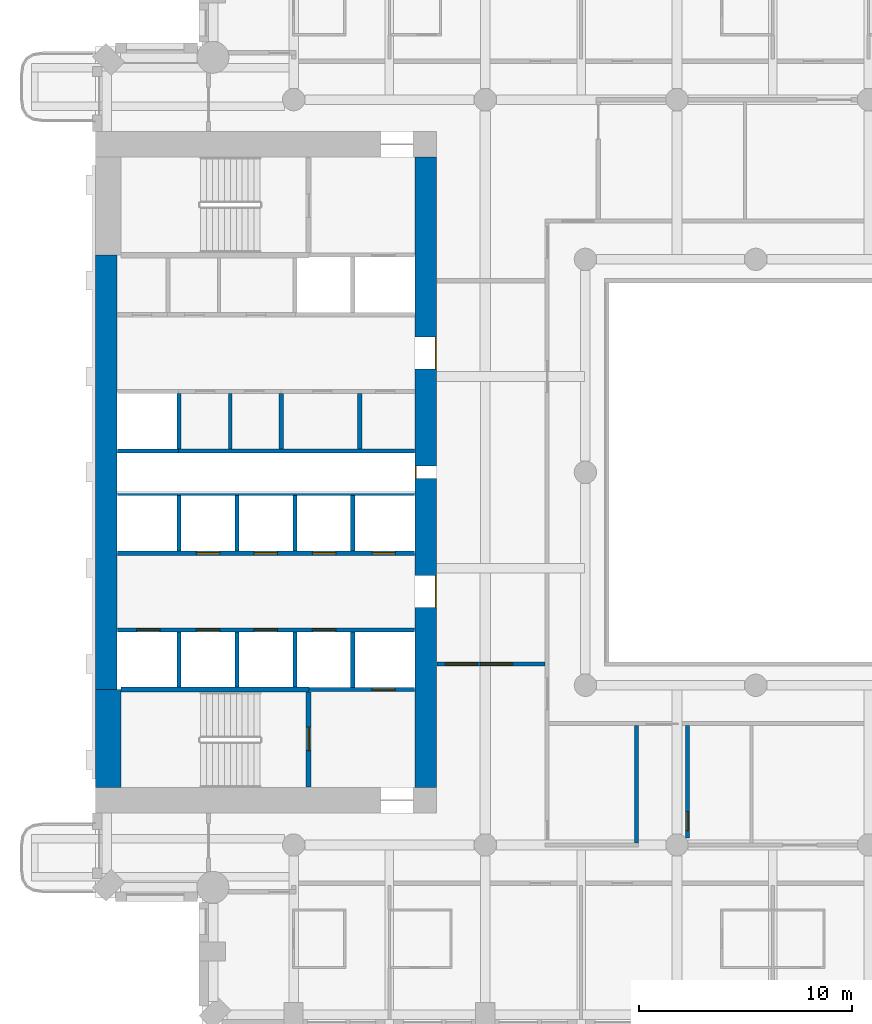
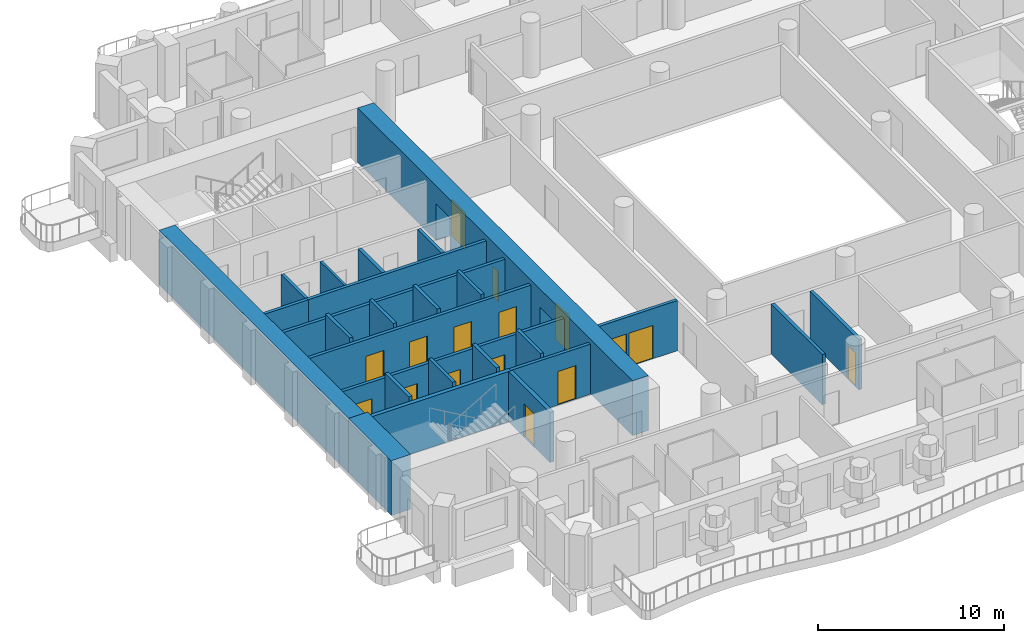
# One storey, part 4 of 20: 26 walls, 16 doors, 16 openings.
"""IFC4 building model written with IfcOpenShell, lengths in metres."""

from ifc_helpers import new_model, si_unit, direction, frame, frame_2d, origin, place, context, subcontext, project, spatial, rectangle, extrude, material, layer, layer_set, type_object, element, fill, save


model = new_model("IFC4")

# Units and contexts
model_context = context("Model", 3, precision=1e-05, world=origin(), true_north=direction((0.0, 1.0)))
body_context = subcontext(model_context, "Body", "Model", "MODEL_VIEW")
ifc_project = project(units=[si_unit("LENGTHUNIT", "METRE"), si_unit("AREAUNIT", "SQUARE_METRE"), si_unit("VOLUMEUNIT", "CUBIC_METRE"), si_unit("PLANEANGLEUNIT", "RADIAN"), si_unit("MASSUNIT", "GRAM", prefix="KILO")], contexts=[model_context])

# Site, building, storey
site_placement = place(None, origin())
site = spatial("IfcSite", under=ifc_project, at=site_placement, CompositionType="ELEMENT")
building_placement = place(site_placement, origin())
building = spatial("IfcBuilding", under=site, at=building_placement, Name="Cypress Arch Tower", CompositionType="ELEMENT")
storey_placement = place(building_placement, frame((0.0, 0.0, 123.89990234375)))
storey = spatial("IfcBuildingStorey", under=building, at=storey_placement, Name="L26", CompositionType="ELEMENT", Elevation=123.89990234375)

# Wall, openings, doors
ifc_material_1 = material(Name="Concrete C80/95", Category="concrete")
ifc_layer_1 = layer(ifc_material_1, 1.0)
ifc_layer_set_1 = layer_set([ifc_layer_1], Name="Core wall CW1000 C80/95")
wall_type_1 = type_object("IfcWallType", Name="Core wall CW1000 C80/95", PredefinedType="SHEAR", material=ifc_layer_set_1)
wall_1_placement = place(storey_placement, frame((-14.5, -14.800048828125, 0.0), z_axis=(0.0, 0.0, 1.0), x_axis=(0.0, 1.0, 0.0)))
wall_1 = element("IfcWall", 1, at=wall_1_placement, inside=storey, type_object=wall_type_1, Name="Core wall", PredefinedType="SHEAR", context=body_context, shape_type="SweptSolid", body=[
    extrude(rectangle(XDim=29.60009765625, YDim=1.0, at=frame_2d((14.800048828125, 0.0))), origin(), (0.0, 0.0, 1.0), 3.60009765625),
])
opening_1_placement = place(wall_1_placement, frame((8.449951171875, 0.0, 0.0)))
opening_1 = element("IfcOpeningElement", 2, at=opening_1_placement, cuts=wall_1, Name="Opening D07", PredefinedType="OPENING", context=body_context, shape_type="SweptSolid", body=[
    extrude(rectangle(XDim=1.5, YDim=2.39990234375, at=frame_2d((0.75, 1.199951171875))), frame((0.0, 0.510009765625, 0.0), z_axis=(0.0, -1.0, 0.0), x_axis=(1.0, 0.0, 0.0)), (0.0, 0.0, 1.0), 1.02001953125),
])
opening_2_placement = place(wall_1_placement, frame((19.64990234375, 0.0, 0.0)))
opening_2 = element("IfcOpeningElement", 3, at=opening_2_placement, cuts=wall_1, Name="Opening D07", PredefinedType="OPENING", context=body_context, shape_type="SweptSolid", body=[
    extrude(rectangle(XDim=1.5, YDim=2.39990234375, at=frame_2d((0.75, 1.199951171875))), frame((0.0, 0.510009765625, 0.0), z_axis=(0.0, -1.0, 0.0), x_axis=(1.0, 0.0, 0.0)), (0.0, 0.0, 1.0), 1.02001953125),
])
opening_3_placement = place(wall_1_placement, frame((14.5, 0.0, 0.0)))
opening_3 = element("IfcOpeningElement", 4, at=opening_3_placement, cuts=wall_1, Name="Opening D08", PredefinedType="OPENING", context=body_context, shape_type="SweptSolid", body=[
    extrude(rectangle(XDim=0.60009765625, YDim=2.0, at=frame_2d((0.300048828125, 1.0))), frame((0.0, 0.510009765625, 0.0), z_axis=(0.0, -1.0, 0.0), x_axis=(1.0, 0.0, 0.0)), (0.0, 0.0, 1.0), 1.02001953125),
])
ifc_material_2 = material(Name="Steel framed glazed door, fire resisting", Category="steel")
door_type_1 = type_object("IfcDoorType", Name="Lobby door D07 1500x2400", OperationType="DOUBLE_DOOR_SINGLE_SWING", PredefinedType="DOOR", material=ifc_material_2)
door_1_placement = place(opening_1_placement, origin())
door_1 = element("IfcDoor", 5, at=door_1_placement, inside=storey, type_object=door_type_1, Name="Lobby door", OperationType="DOUBLE_DOOR_SINGLE_SWING", OverallHeight=2.39990234375, OverallWidth=1.5, PredefinedType="DOOR", context=body_context, shape_type="SweptSolid", body=[
    extrude(rectangle(XDim=1.5, YDim=2.39990234375, at=frame_2d((0.75, 1.199951171875))), frame((0.0, -0.44482421875, 0.0), z_axis=(0.0, -1.0, 0.0), x_axis=(1.0, 0.0, 0.0)), (0.0, 0.0, 1.0), 0.050048828125),
])
fill(opening_1, door_1)
door_2_placement = place(opening_2_placement, origin())
door_2 = element("IfcDoor", 6, at=door_2_placement, inside=storey, type_object=door_type_1, Name="Lobby door", OperationType="DOUBLE_DOOR_SINGLE_SWING", OverallHeight=2.39990234375, OverallWidth=1.5, PredefinedType="DOOR", context=body_context, shape_type="SweptSolid", body=[
    extrude(rectangle(XDim=1.5, YDim=2.39990234375, at=frame_2d((0.75, 1.199951171875))), frame((0.0, -0.44482421875, 0.0), z_axis=(0.0, -1.0, 0.0), x_axis=(1.0, 0.0, 0.0)), (0.0, 0.0, 1.0), 0.050048828125),
])
fill(opening_2, door_2)
ifc_material_3 = material(Name="Steel access door, fire resisting", Category="steel")
door_type_2 = type_object("IfcDoorType", Name="Riser access door D08 600x2000", OperationType="SINGLE_SWING_LEFT", PredefinedType="DOOR", material=ifc_material_3)
door_3_placement = place(opening_3_placement, origin())
door_3 = element("IfcDoor", 7, at=door_3_placement, inside=storey, type_object=door_type_2, Name="Riser access door", OperationType="SINGLE_SWING_RIGHT", OverallHeight=2.0, OverallWidth=0.60009765625, PredefinedType="DOOR", context=body_context, shape_type="SweptSolid", body=[
    extrude(rectangle(XDim=0.60009765625, YDim=2.0, at=frame_2d((0.300048828125, 1.0))), frame((0.0, 0.4951171875, 0.0), z_axis=(0.0, -1.0, 0.0), x_axis=(1.0, 0.0, 0.0)), (0.0, 0.0, 1.0), 0.050048828125),
])
fill(opening_3, door_3)

# Walls
wall_2_placement = place(storey_placement, frame((-29.5, -10.199951171875, 0.0), z_axis=(0.0, 0.0, 1.0), x_axis=(0.0, 1.0, 0.0)))
element("IfcWall", 8, at=wall_2_placement, inside=storey, type_object=wall_type_1, Name="Core wall", PredefinedType="SHEAR", context=body_context, shape_type="SweptSolid", body=[
    extrude(rectangle(XDim=20.39990234375, YDim=1.0, at=frame_2d((10.199951171875, 0.0))), origin(), (0.0, 0.0, 1.0), 3.60009765625),
])
ifc_material_4 = material(Name="Concrete C80/95", Category="concrete")
ifc_layer_2 = layer(ifc_material_4, 1.199951171875)
ifc_layer_set_2 = layer_set([ifc_layer_2], Name="Core wall CW1200 C80/95")
wall_type_2 = type_object("IfcWallType", Name="Core wall CW1200 C80/95", PredefinedType="SHEAR", material=ifc_layer_set_2)
wall_3_placement = place(storey_placement, frame((-29.39990234375, -14.800048828125, 0.0), z_axis=(0.0, 0.0, 1.0), x_axis=(0.0, 1.0, 0.0)))
element("IfcWall", 9, at=wall_3_placement, inside=storey, type_object=wall_type_2, Name="Core wall", PredefinedType="SHEAR", context=body_context, shape_type="SweptSolid", body=[
    extrude(rectangle(XDim=4.60009765625, YDim=1.199951171875, at=frame_2d((2.300048828125, 0.0))), origin(), (0.0, 0.0, 1.0), 3.60009765625),
])

# Wall, openings, doors
ifc_material_5 = material(Name="Concrete blockwork, plastered, rated", Category="masonry")
ifc_layer_3 = layer(ifc_material_5, 0.199951171875)
ifc_layer_set_3 = layer_set([ifc_layer_3], Name="Corridor wall FW200")
wall_type_3 = type_object("IfcWallType", Name="Corridor wall FW200", PredefinedType="PARTITIONING", material=ifc_layer_set_3)
wall_4_placement = place(storey_placement, frame((-13.969970703125, -9.0, 0.0), z_axis=(0.0, 0.0, 1.0), x_axis=(1.0, 0.0, 0.0)))
wall_4 = element("IfcWall", 10, at=wall_4_placement, inside=storey, type_object=wall_type_3, Name="Corridor wall", PredefinedType="PARTITIONING", context=body_context, shape_type="SweptSolid", body=[
    extrude(rectangle(XDim=5.070068359375, YDim=0.199951171875, at=frame_2d((2.53515625, 0.0))), origin(), (0.0, 0.0, 1.0), 3.300048828125),
])
opening_4_placement = place(wall_4_placement, frame((0.39990234375, 0.0, 0.0)))
opening_4 = element("IfcOpeningElement", 11, at=opening_4_placement, cuts=wall_4, Name="Opening D04", PredefinedType="OPENING", context=body_context, shape_type="SweptSolid", body=[
    extrude(rectangle(XDim=1.5, YDim=2.199951171875, at=frame_2d((0.75, 1.10009765625))), frame((0.0, 0.10986328125, 0.0), z_axis=(0.0, -1.0, 0.0), x_axis=(1.0, 0.0, 0.0)), (0.0, 0.0, 1.0), 0.219970703125),
])
opening_5_placement = place(wall_4_placement, frame((2.050048828125, 0.0, 0.0)))
opening_5 = element("IfcOpeningElement", 12, at=opening_5_placement, cuts=wall_4, Name="Opening D04", PredefinedType="OPENING", context=body_context, shape_type="SweptSolid", body=[
    extrude(rectangle(XDim=1.5, YDim=2.199951171875, at=frame_2d((0.75, 1.10009765625))), frame((0.0, 0.10986328125, 0.0), z_axis=(0.0, -1.0, 0.0), x_axis=(1.0, 0.0, 0.0)), (0.0, 0.0, 1.0), 0.219970703125),
])
ifc_material_6 = material(Name="Timber double door", Category="wood")
door_type_3 = type_object("IfcDoorType", Name="Double door D04 1500x2200", OperationType="DOUBLE_DOOR_SINGLE_SWING", PredefinedType="DOOR", material=ifc_material_6)
door_4_placement = place(opening_4_placement, origin())
door_4 = element("IfcDoor", 13, at=door_4_placement, inside=storey, type_object=door_type_3, Name="Double door", OperationType="DOUBLE_DOOR_SINGLE_SWING", OverallHeight=2.199951171875, OverallWidth=1.5, PredefinedType="DOOR", context=body_context, shape_type="SweptSolid", body=[
    extrude(rectangle(XDim=1.5, YDim=2.199951171875, at=frame_2d((0.75, 1.10009765625))), frame((0.0, 0.02490234375, 0.0), z_axis=(0.0, -1.0, 0.0), x_axis=(1.0, 0.0, 0.0)), (0.0, 0.0, 1.0), 0.050048828125),
])
fill(opening_4, door_4)
door_5_placement = place(opening_5_placement, origin())
door_5 = element("IfcDoor", 14, at=door_5_placement, inside=storey, type_object=door_type_3, Name="Double door", OperationType="DOUBLE_DOOR_SINGLE_SWING", OverallHeight=2.199951171875, OverallWidth=1.5, PredefinedType="DOOR", context=body_context, shape_type="SweptSolid", body=[
    extrude(rectangle(XDim=1.5, YDim=2.199951171875, at=frame_2d((0.75, 1.10009765625))), frame((0.0, 0.02490234375, 0.0), z_axis=(0.0, -1.0, 0.0), x_axis=(1.0, 0.0, 0.0)), (0.0, 0.0, 1.0), 0.050048828125),
])
fill(opening_5, door_5)

# Wall
wall_5_placement = place(storey_placement, frame((-4.60009765625, -17.39990234375, 0.0), z_axis=(0.0, 0.0, 1.0), x_axis=(0.0, 1.0, 0.0)))
element("IfcWall", 15, at=wall_5_placement, inside=storey, type_object=wall_type_3, Name="Corridor wall", PredefinedType="PARTITIONING", context=body_context, shape_type="SweptSolid", body=[
    extrude(rectangle(XDim=5.5, YDim=0.199951171875, at=frame_2d((2.75, 0.0))), origin(), (0.0, 0.0, 1.0), 3.300048828125),
])

# Wall, opening, door
wall_6_placement = place(storey_placement, frame((-2.199951171875, -17.178466796875, 0.0), z_axis=(0.0, 0.0, 1.0), x_axis=(0.0, 1.0, 0.0)))
wall_6 = element("IfcWall", 16, at=wall_6_placement, inside=storey, type_object=wall_type_3, Name="Corridor wall", PredefinedType="PARTITIONING", context=body_context, shape_type="SweptSolid", body=[
    extrude(rectangle(XDim=5.278564453125, YDim=0.199951171875, at=frame_2d((2.63916015625, 0.0))), origin(), (0.0, 0.0, 1.0), 3.300048828125),
])
opening_6_placement = place(wall_6_placement, frame((0.35009765625, 0.0, 0.0)))
opening_6 = element("IfcOpeningElement", 17, at=opening_6_placement, cuts=wall_6, Name="Opening D05", PredefinedType="OPENING", context=body_context, shape_type="SweptSolid", body=[
    extrude(rectangle(XDim=0.89990234375, YDim=2.199951171875, at=frame_2d((0.449951171875, 1.10009765625))), frame((0.0, 0.10986328125, 0.0), z_axis=(0.0, -1.0, 0.0), x_axis=(1.0, 0.0, 0.0)), (0.0, 0.0, 1.0), 0.219970703125),
])
ifc_material_7 = material(Name="Timber flush door", Category="wood")
door_type_4 = type_object("IfcDoorType", Name="Service door D05 900x2200", OperationType="SINGLE_SWING_LEFT", PredefinedType="DOOR", material=ifc_material_7)
door_6_placement = place(opening_6_placement, origin())
door_6 = element("IfcDoor", 18, at=door_6_placement, inside=storey, type_object=door_type_4, Name="Service door", OperationType="SINGLE_SWING_RIGHT", OverallHeight=2.199951171875, OverallWidth=0.89990234375, PredefinedType="DOOR", context=body_context, shape_type="SweptSolid", body=[
    extrude(rectangle(XDim=0.89990234375, YDim=2.199951171875, at=frame_2d((0.449951171875, 1.10009765625))), frame((0.0, 0.02490234375, 0.0), z_axis=(0.0, -1.0, 0.0), x_axis=(1.0, 0.0, 0.0)), (0.0, 0.0, 1.0), 0.050048828125),
])
fill(opening_6, door_6)

# Walls
ifc_material_8 = material(Name="Blockwork, plastered both sides", Category="masonry")
ifc_layer_4 = layer(ifc_material_8, 0.14990234375)
ifc_layer_set_4 = layer_set([ifc_layer_4], Name="Partition PW150")
wall_type_4 = type_object("IfcWallType", Name="Partition PW150", PredefinedType="PARTITIONING", material=ifc_layer_set_4)
wall_7_placement = place(storey_placement, frame((-23.679931640625, 1.10009765625, 0.0), z_axis=(0.0, 0.0, 1.0), x_axis=(0.0, 1.0, 0.0)))
element("IfcWall", 19, at=wall_7_placement, inside=storey, type_object=wall_type_4, Name="Partition", PredefinedType="PARTITIONING", context=body_context, shape_type="SweptSolid", body=[
    extrude(rectangle(XDim=2.599853515625, YDim=0.14990234375, at=frame_2d((1.2998046875, 0.0))), origin(), (0.0, 0.0, 1.0), 3.300048828125),
])
ifc_material_9 = material(Name="Reinforced blockwork, plastered, rated", Category="masonry")
ifc_layer_5 = layer(ifc_material_9, 0.199951171875)
ifc_layer_set_5 = layer_set([ifc_layer_5], Name="Plant and riser wall PL200")
wall_type_5 = type_object("IfcWallType", Name="Plant and riser wall PL200", PredefinedType="PARTITIONING", material=ifc_layer_set_5)
wall_8_placement = place(storey_placement, frame((-26.10009765625, 1.0, 0.0), z_axis=(0.0, 0.0, 1.0), x_axis=(1.0, 0.0, 0.0)))
element("IfcWall", 20, at=wall_8_placement, inside=storey, type_object=wall_type_5, Name="Plant and riser wall", PredefinedType="PARTITIONING", context=body_context, shape_type="SweptSolid", body=[
    extrude(rectangle(XDim=11.070068359375, YDim=0.199951171875, at=frame_2d((5.53515625, 0.0))), origin(), (0.0, 0.0, 1.0), 3.300048828125),
])
for number, where, z_axis, x_axis, name in (
    (21, (-21.280029296875, 1.10009765625, 0.0), (0.0, 0.0, 1.0), (0.0, 1.0, 0.0), "Plant and riser wall"),
    (22, (-17.60009765625, 1.10009765625, 0.0), (0.0, 0.0, 1.0), (0.0, 1.0, 0.0), "Plant and riser wall"),
):
    element("IfcWall", number, at=place(storey_placement, frame(where, z_axis=z_axis, x_axis=x_axis)), inside=storey, type_object=wall_type_5, Name=name, PredefinedType="PARTITIONING", context=body_context, shape_type="SweptSolid", body=[
        extrude(rectangle(XDim=2.599853515625, YDim=0.199951171875, at=frame_2d((1.2998046875, 0.0))), origin(), (0.0, 0.0, 1.0), 3.300048828125),
    ])

# Wall, openings, doors
ifc_material_10 = material(Name="Concrete C50/60", Category="concrete")
ifc_layer_6 = layer(ifc_material_10, 0.199951171875)
ifc_layer_set_6 = layer_set([ifc_layer_6], Name="Shaft wall SH200")
wall_type_6 = type_object("IfcWallType", Name="Shaft wall SH200", PredefinedType="SHEAR", material=ifc_layer_set_6)
wall_9_placement = place(storey_placement, frame((-28.969970703125, -7.39990234375, 0.0), z_axis=(0.0, 0.0, 1.0), x_axis=(1.0, 0.0, 0.0)))
wall_9 = element("IfcWall", 23, at=wall_9_placement, inside=storey, type_object=wall_type_6, Name="Shaft wall", PredefinedType="SHEAR", context=body_context, shape_type="SweptSolid", body=[
    extrude(rectangle(XDim=13.93994140625, YDim=0.199951171875, at=frame_2d((6.969970703125, 0.0))), origin(), (0.0, 0.0, 1.0), 3.300048828125),
])
opening_7_placement = place(wall_9_placement, frame((0.89990234375, 0.0, 0.0)))
opening_7 = element("IfcOpeningElement", 24, at=opening_7_placement, cuts=wall_9, Name="Opening LD-LR1", PredefinedType="OPENING", context=body_context, shape_type="SweptSolid", body=[
    extrude(rectangle(XDim=1.10009765625, YDim=2.199951171875, at=frame_2d((0.550048828125, 1.10009765625))), frame((0.0, 0.10986328125, 0.0), z_axis=(0.0, -1.0, 0.0), x_axis=(1.0, 0.0, 0.0)), (0.0, 0.0, 1.0), 0.219970703125),
])
opening_8_placement = place(wall_9_placement, frame((3.699951171875, 0.0, 0.0)))
opening_8 = element("IfcOpeningElement", 25, at=opening_8_placement, cuts=wall_9, Name="Opening LD-LR2", PredefinedType="OPENING", context=body_context, shape_type="SweptSolid", body=[
    extrude(rectangle(XDim=1.10009765625, YDim=2.199951171875, at=frame_2d((0.550048828125, 1.10009765625))), frame((0.0, 0.10986328125, 0.0), z_axis=(0.0, -1.0, 0.0), x_axis=(1.0, 0.0, 0.0)), (0.0, 0.0, 1.0), 0.219970703125),
])
opening_9_placement = place(wall_9_placement, frame((6.39990234375, 0.0, 0.0)))
opening_9 = element("IfcOpeningElement", 26, at=opening_9_placement, cuts=wall_9, Name="Opening LD-LR3", PredefinedType="OPENING", context=body_context, shape_type="SweptSolid", body=[
    extrude(rectangle(XDim=1.10009765625, YDim=2.199951171875, at=frame_2d((0.550048828125, 1.10009765625))), frame((0.0, 0.10986328125, 0.0), z_axis=(0.0, -1.0, 0.0), x_axis=(1.0, 0.0, 0.0)), (0.0, 0.0, 1.0), 0.219970703125),
])
opening_10_placement = place(wall_9_placement, frame((9.14990234375, 0.0, 0.0)))
opening_10 = element("IfcOpeningElement", 27, at=opening_10_placement, cuts=wall_9, Name="Opening LD-LR4", PredefinedType="OPENING", context=body_context, shape_type="SweptSolid", body=[
    extrude(rectangle(XDim=1.10009765625, YDim=2.199951171875, at=frame_2d((0.550048828125, 1.10009765625))), frame((0.0, 0.10986328125, 0.0), z_axis=(0.0, -1.0, 0.0), x_axis=(1.0, 0.0, 0.0)), (0.0, 0.0, 1.0), 0.219970703125),
])
ifc_material_11 = material(Name="Stainless steel centre-opening landing door, rated", Category="steel")
door_type_5 = type_object("IfcDoorType", Name="Lift landing door LD 1100x2200", OperationType="DOUBLE_DOOR_SLIDING", PredefinedType="DOOR", material=ifc_material_11)
door_7_placement = place(opening_7_placement, origin())
door_7 = element("IfcDoor", 28, at=door_7_placement, inside=storey, type_object=door_type_5, Name="Lift landing doors LR1", OperationType="DOUBLE_DOOR_SLIDING", OverallHeight=2.199951171875, OverallWidth=1.10009765625, PredefinedType="DOOR", context=body_context, shape_type="SweptSolid", body=[
    extrude(rectangle(XDim=1.10009765625, YDim=2.199951171875, at=frame_2d((0.550048828125, 1.10009765625))), frame((0.0, 0.02490234375, 0.0), z_axis=(0.0, -1.0, 0.0), x_axis=(1.0, 0.0, 0.0)), (0.0, 0.0, 1.0), 0.050048828125),
])
fill(opening_7, door_7)
door_8_placement = place(opening_8_placement, origin())
door_8 = element("IfcDoor", 29, at=door_8_placement, inside=storey, type_object=door_type_5, Name="Lift landing doors LR2", OperationType="DOUBLE_DOOR_SLIDING", OverallHeight=2.199951171875, OverallWidth=1.10009765625, PredefinedType="DOOR", context=body_context, shape_type="SweptSolid", body=[
    extrude(rectangle(XDim=1.10009765625, YDim=2.199951171875, at=frame_2d((0.550048828125, 1.10009765625))), frame((0.0, 0.02490234375, 0.0), z_axis=(0.0, -1.0, 0.0), x_axis=(1.0, 0.0, 0.0)), (0.0, 0.0, 1.0), 0.050048828125),
])
fill(opening_8, door_8)
door_9_placement = place(opening_9_placement, origin())
door_9 = element("IfcDoor", 30, at=door_9_placement, inside=storey, type_object=door_type_5, Name="Lift landing doors LR3", OperationType="DOUBLE_DOOR_SLIDING", OverallHeight=2.199951171875, OverallWidth=1.10009765625, PredefinedType="DOOR", context=body_context, shape_type="SweptSolid", body=[
    extrude(rectangle(XDim=1.10009765625, YDim=2.199951171875, at=frame_2d((0.550048828125, 1.10009765625))), frame((0.0, 0.02490234375, 0.0), z_axis=(0.0, -1.0, 0.0), x_axis=(1.0, 0.0, 0.0)), (0.0, 0.0, 1.0), 0.050048828125),
])
fill(opening_9, door_9)
door_10_placement = place(opening_10_placement, origin())
door_10 = element("IfcDoor", 31, at=door_10_placement, inside=storey, type_object=door_type_5, Name="Lift landing doors LR4", OperationType="DOUBLE_DOOR_SLIDING", OverallHeight=2.199951171875, OverallWidth=1.10009765625, PredefinedType="DOOR", context=body_context, shape_type="SweptSolid", body=[
    extrude(rectangle(XDim=1.10009765625, YDim=2.199951171875, at=frame_2d((0.550048828125, 1.10009765625))), frame((0.0, 0.02490234375, 0.0), z_axis=(0.0, -1.0, 0.0), x_axis=(1.0, 0.0, 0.0)), (0.0, 0.0, 1.0), 0.050048828125),
])
fill(opening_10, door_10)

wall_10_placement = place(storey_placement, frame((-28.969970703125, -3.800048828125, 0.0), z_axis=(0.0, 0.0, 1.0), x_axis=(1.0, 0.0, 0.0)))
wall_10 = element("IfcWall", 32, at=wall_10_placement, inside=storey, type_object=wall_type_6, Name="Shaft wall", PredefinedType="SHEAR", context=body_context, shape_type="SweptSolid", body=[
    extrude(rectangle(XDim=13.93994140625, YDim=0.199951171875, at=frame_2d((6.969970703125, 0.0))), origin(), (0.0, 0.0, 1.0), 3.300048828125),
])
opening_11_placement = place(wall_10_placement, frame((3.699951171875, 0.0, 0.0)))
opening_11 = element("IfcOpeningElement", 33, at=opening_11_placement, cuts=wall_10, Name="Opening LD-LR5", PredefinedType="OPENING", context=body_context, shape_type="SweptSolid", body=[
    extrude(rectangle(XDim=1.10009765625, YDim=2.199951171875, at=frame_2d((0.550048828125, 1.10009765625))), frame((0.0, 0.10986328125, 0.0), z_axis=(0.0, -1.0, 0.0), x_axis=(1.0, 0.0, 0.0)), (0.0, 0.0, 1.0), 0.219970703125),
])
opening_12_placement = place(wall_10_placement, frame((6.39990234375, 0.0, 0.0)))
opening_12 = element("IfcOpeningElement", 34, at=opening_12_placement, cuts=wall_10, Name="Opening LD-LR6", PredefinedType="OPENING", context=body_context, shape_type="SweptSolid", body=[
    extrude(rectangle(XDim=1.10009765625, YDim=2.199951171875, at=frame_2d((0.550048828125, 1.10009765625))), frame((0.0, 0.10986328125, 0.0), z_axis=(0.0, -1.0, 0.0), x_axis=(1.0, 0.0, 0.0)), (0.0, 0.0, 1.0), 0.219970703125),
])
opening_13_placement = place(wall_10_placement, frame((9.14990234375, 0.0, 0.0)))
opening_13 = element("IfcOpeningElement", 35, at=opening_13_placement, cuts=wall_10, Name="Opening LD-LR7", PredefinedType="OPENING", context=body_context, shape_type="SweptSolid", body=[
    extrude(rectangle(XDim=1.10009765625, YDim=2.199951171875, at=frame_2d((0.550048828125, 1.10009765625))), frame((0.0, 0.10986328125, 0.0), z_axis=(0.0, -1.0, 0.0), x_axis=(1.0, 0.0, 0.0)), (0.0, 0.0, 1.0), 0.219970703125),
])
opening_14_placement = place(wall_10_placement, frame((11.949951171875, 0.0, 0.0)))
opening_14 = element("IfcOpeningElement", 36, at=opening_14_placement, cuts=wall_10, Name="Opening LD-LR8", PredefinedType="OPENING", context=body_context, shape_type="SweptSolid", body=[
    extrude(rectangle(XDim=1.10009765625, YDim=2.199951171875, at=frame_2d((0.550048828125, 1.10009765625))), frame((0.0, 0.10986328125, 0.0), z_axis=(0.0, -1.0, 0.0), x_axis=(1.0, 0.0, 0.0)), (0.0, 0.0, 1.0), 0.219970703125),
])
door_11_placement = place(opening_11_placement, origin())
door_11 = element("IfcDoor", 37, at=door_11_placement, inside=storey, type_object=door_type_5, Name="Lift landing doors LR5", OperationType="DOUBLE_DOOR_SLIDING", OverallHeight=2.199951171875, OverallWidth=1.10009765625, PredefinedType="DOOR", context=body_context, shape_type="SweptSolid", body=[
    extrude(rectangle(XDim=1.10009765625, YDim=2.199951171875, at=frame_2d((0.550048828125, 1.10009765625))), frame((0.0, 0.02490234375, 0.0), z_axis=(0.0, -1.0, 0.0), x_axis=(1.0, 0.0, 0.0)), (0.0, 0.0, 1.0), 0.050048828125),
])
fill(opening_11, door_11)
door_12_placement = place(opening_12_placement, origin())
door_12 = element("IfcDoor", 38, at=door_12_placement, inside=storey, type_object=door_type_5, Name="Lift landing doors LR6", OperationType="DOUBLE_DOOR_SLIDING", OverallHeight=2.199951171875, OverallWidth=1.10009765625, PredefinedType="DOOR", context=body_context, shape_type="SweptSolid", body=[
    extrude(rectangle(XDim=1.10009765625, YDim=2.199951171875, at=frame_2d((0.550048828125, 1.10009765625))), frame((0.0, 0.02490234375, 0.0), z_axis=(0.0, -1.0, 0.0), x_axis=(1.0, 0.0, 0.0)), (0.0, 0.0, 1.0), 0.050048828125),
])
fill(opening_12, door_12)
door_13_placement = place(opening_13_placement, origin())
door_13 = element("IfcDoor", 39, at=door_13_placement, inside=storey, type_object=door_type_5, Name="Lift landing doors LR7", OperationType="DOUBLE_DOOR_SLIDING", OverallHeight=2.199951171875, OverallWidth=1.10009765625, PredefinedType="DOOR", context=body_context, shape_type="SweptSolid", body=[
    extrude(rectangle(XDim=1.10009765625, YDim=2.199951171875, at=frame_2d((0.550048828125, 1.10009765625))), frame((0.0, 0.02490234375, 0.0), z_axis=(0.0, -1.0, 0.0), x_axis=(1.0, 0.0, 0.0)), (0.0, 0.0, 1.0), 0.050048828125),
])
fill(opening_13, door_13)
door_14_placement = place(opening_14_placement, origin())
door_14 = element("IfcDoor", 40, at=door_14_placement, inside=storey, type_object=door_type_5, Name="Lift landing doors LR8", OperationType="DOUBLE_DOOR_SLIDING", OverallHeight=2.199951171875, OverallWidth=1.10009765625, PredefinedType="DOOR", context=body_context, shape_type="SweptSolid", body=[
    extrude(rectangle(XDim=1.10009765625, YDim=2.199951171875, at=frame_2d((0.550048828125, 1.10009765625))), frame((0.0, 0.02490234375, 0.0), z_axis=(0.0, -1.0, 0.0), x_axis=(1.0, 0.0, 0.0)), (0.0, 0.0, 1.0), 0.050048828125),
])
fill(opening_14, door_14)

# Walls
wall_11_placement = place(storey_placement, frame((-28.969970703125, -1.0, 0.0), z_axis=(0.0, 0.0, 1.0), x_axis=(1.0, 0.0, 0.0)))
element("IfcWall", 41, at=wall_11_placement, inside=storey, type_object=wall_type_6, Name="Shaft wall", PredefinedType="SHEAR", context=body_context, shape_type="SweptSolid", body=[
    extrude(rectangle(XDim=13.93994140625, YDim=0.199951171875, at=frame_2d((6.969970703125, 0.0))), origin(), (0.0, 0.0, 1.0), 3.300048828125),
])
wall_12_placement = place(storey_placement, frame((-28.969970703125, 1.0, 0.0), z_axis=(0.0, 0.0, 1.0), x_axis=(1.0, 0.0, 0.0)))
element("IfcWall", 42, at=wall_12_placement, inside=storey, type_object=wall_type_6, Name="Shaft wall", PredefinedType="SHEAR", context=body_context, shape_type="SweptSolid", body=[
    extrude(rectangle(XDim=2.869873046875, YDim=0.199951171875, at=frame_2d((1.43505859375, 0.0))), origin(), (0.0, 0.0, 1.0), 3.300048828125),
])
wall_13_placement = place(storey_placement, frame((-26.080078125, -10.074951171875, 0.0), z_axis=(0.0, 0.0, 1.0), x_axis=(0.0, 1.0, 0.0)))
element("IfcWall", 43, at=wall_13_placement, inside=storey, type_object=wall_type_6, Name="Shaft wall", PredefinedType="SHEAR", context=body_context, shape_type="SweptSolid", body=[
    extrude(rectangle(XDim=2.574951171875, YDim=0.199951171875, at=frame_2d((1.28759765625, 0.0))), origin(), (0.0, 0.0, 1.0), 3.60009765625),
])
wall_14_placement = place(storey_placement, frame((-26.080078125, -3.699951171875, 0.0), z_axis=(0.0, 0.0, 1.0), x_axis=(0.0, 1.0, 0.0)))
element("IfcWall", 44, at=wall_14_placement, inside=storey, type_object=wall_type_6, Name="Shaft wall", PredefinedType="SHEAR", context=body_context, shape_type="SweptSolid", body=[
    extrude(rectangle(XDim=2.599853515625, YDim=0.199951171875, at=frame_2d((1.2998046875, 0.0))), origin(), (0.0, 0.0, 1.0), 3.60009765625),
])
wall_15_placement = place(storey_placement, frame((-26.080078125, 1.10009765625, 0.0), z_axis=(0.0, 0.0, 1.0), x_axis=(0.0, 1.0, 0.0)))
element("IfcWall", 45, at=wall_15_placement, inside=storey, type_object=wall_type_6, Name="Shaft wall", PredefinedType="SHEAR", context=body_context, shape_type="SweptSolid", body=[
    extrude(rectangle(XDim=2.599853515625, YDim=0.199951171875, at=frame_2d((1.2998046875, 0.0))), origin(), (0.0, 0.0, 1.0), 3.300048828125),
])
wall_16_placement = place(storey_placement, frame((-23.360107421875, -10.074951171875, 0.0), z_axis=(0.0, 0.0, 1.0), x_axis=(0.0, 1.0, 0.0)))
element("IfcWall", 46, at=wall_16_placement, inside=storey, type_object=wall_type_6, Name="Shaft wall", PredefinedType="SHEAR", context=body_context, shape_type="SweptSolid", body=[
    extrude(rectangle(XDim=2.574951171875, YDim=0.199951171875, at=frame_2d((1.28759765625, 0.0))), origin(), (0.0, 0.0, 1.0), 3.60009765625),
])
wall_17_placement = place(storey_placement, frame((-23.360107421875, -3.699951171875, 0.0), z_axis=(0.0, 0.0, 1.0), x_axis=(0.0, 1.0, 0.0)))
element("IfcWall", 47, at=wall_17_placement, inside=storey, type_object=wall_type_6, Name="Shaft wall", PredefinedType="SHEAR", context=body_context, shape_type="SweptSolid", body=[
    extrude(rectangle(XDim=2.599853515625, YDim=0.199951171875, at=frame_2d((1.2998046875, 0.0))), origin(), (0.0, 0.0, 1.0), 3.60009765625),
])
wall_18_placement = place(storey_placement, frame((-20.639892578125, -10.074951171875, 0.0), z_axis=(0.0, 0.0, 1.0), x_axis=(0.0, 1.0, 0.0)))
element("IfcWall", 48, at=wall_18_placement, inside=storey, type_object=wall_type_6, Name="Shaft wall", PredefinedType="SHEAR", context=body_context, shape_type="SweptSolid", body=[
    extrude(rectangle(XDim=2.574951171875, YDim=0.199951171875, at=frame_2d((1.28759765625, 0.0))), origin(), (0.0, 0.0, 1.0), 3.60009765625),
])
wall_19_placement = place(storey_placement, frame((-20.639892578125, -3.699951171875, 0.0), z_axis=(0.0, 0.0, 1.0), x_axis=(0.0, 1.0, 0.0)))
element("IfcWall", 49, at=wall_19_placement, inside=storey, type_object=wall_type_6, Name="Shaft wall", PredefinedType="SHEAR", context=body_context, shape_type="SweptSolid", body=[
    extrude(rectangle(XDim=2.599853515625, YDim=0.199951171875, at=frame_2d((1.2998046875, 0.0))), origin(), (0.0, 0.0, 1.0), 3.60009765625),
])

# Wall, opening, door
wall_20_placement = place(storey_placement, frame((-19.97998046875, -10.199951171875, 0.0), z_axis=(0.0, 0.0, 1.0), x_axis=(1.0, 0.0, 0.0)))
wall_20 = element("IfcWall", 50, at=wall_20_placement, inside=storey, type_object=wall_type_6, Name="Shaft wall", PredefinedType="SHEAR", context=body_context, shape_type="SweptSolid", body=[
    extrude(rectangle(XDim=4.949951171875, YDim=0.199951171875, at=frame_2d((2.47509765625, 0.0))), origin(), (0.0, 0.0, 1.0), 3.300048828125),
])
opening_15_placement = place(wall_20_placement, frame((2.949951171875, 0.0, 0.0)))
opening_15 = element("IfcOpeningElement", 51, at=opening_15_placement, cuts=wall_20, Name="Opening LD-FL1", PredefinedType="OPENING", context=body_context, shape_type="SweptSolid", body=[
    extrude(rectangle(XDim=1.10009765625, YDim=2.199951171875, at=frame_2d((0.550048828125, 1.10009765625))), frame((0.0, 0.10986328125, 0.0), z_axis=(0.0, -1.0, 0.0), x_axis=(1.0, 0.0, 0.0)), (0.0, 0.0, 1.0), 0.219970703125),
])
door_15_placement = place(opening_15_placement, origin())
door_15 = element("IfcDoor", 52, at=door_15_placement, inside=storey, type_object=door_type_5, Name="Lift landing doors FL1", OperationType="DOUBLE_DOOR_SLIDING", OverallHeight=2.199951171875, OverallWidth=1.10009765625, PredefinedType="DOOR", context=body_context, shape_type="SweptSolid", body=[
    extrude(rectangle(XDim=1.10009765625, YDim=2.199951171875, at=frame_2d((0.550048828125, 1.10009765625))), frame((0.0, 0.02490234375, 0.0), z_axis=(0.0, -1.0, 0.0), x_axis=(1.0, 0.0, 0.0)), (0.0, 0.0, 1.0), 0.050048828125),
])
fill(opening_15, door_15)

# Walls
wall_21_placement = place(storey_placement, frame((-17.919921875, -10.10009765625, 0.0), z_axis=(0.0, 0.0, 1.0), x_axis=(0.0, 1.0, 0.0)))
element("IfcWall", 53, at=wall_21_placement, inside=storey, type_object=wall_type_6, Name="Shaft wall", PredefinedType="SHEAR", context=body_context, shape_type="SweptSolid", body=[
    extrude(rectangle(XDim=2.60009765625, YDim=0.199951171875, at=frame_2d((1.300048828125, 0.0))), origin(), (0.0, 0.0, 1.0), 3.60009765625),
])
wall_22_placement = place(storey_placement, frame((-17.919921875, -3.699951171875, 0.0), z_axis=(0.0, 0.0, 1.0), x_axis=(0.0, 1.0, 0.0)))
element("IfcWall", 54, at=wall_22_placement, inside=storey, type_object=wall_type_6, Name="Shaft wall", PredefinedType="SHEAR", context=body_context, shape_type="SweptSolid", body=[
    extrude(rectangle(XDim=2.599853515625, YDim=0.199951171875, at=frame_2d((1.2998046875, 0.0))), origin(), (0.0, 0.0, 1.0), 3.60009765625),
])
ifc_material_12 = material(Name="Concrete C50/60", Category="concrete")
ifc_layer_7 = layer(ifc_material_12, 0.25)
ifc_layer_set_7 = layer_set([ifc_layer_7], Name="Stair enclosure wall SW250")
wall_type_7 = type_object("IfcWallType", Name="Stair enclosure wall SW250", PredefinedType="SHEAR", material=ifc_layer_set_7)
wall_23_placement = place(storey_placement, frame((-28.81005859375, -10.199951171875, 0.0), z_axis=(0.0, 0.0, 1.0), x_axis=(1.0, 0.0, 0.0)))
element("IfcWall", 55, at=wall_23_placement, inside=storey, type_object=wall_type_7, Name="Stair enclosure wall", PredefinedType="SHEAR", context=body_context, shape_type="SweptSolid", body=[
    extrude(rectangle(XDim=8.830078125, YDim=0.25, at=frame_2d((4.4150390625, 0.0))), origin(), (0.0, 0.0, 1.0), 3.300048828125),
])

# Wall, opening, door
wall_24_placement = place(storey_placement, frame((-20.0, -14.77001953125, 0.0), z_axis=(0.0, 0.0, 1.0), x_axis=(0.0, 1.0, 0.0)))
wall_24 = element("IfcWall", 56, at=wall_24_placement, inside=storey, type_object=wall_type_7, Name="Stair enclosure wall", PredefinedType="SHEAR", context=body_context, shape_type="SweptSolid", body=[
    extrude(rectangle(XDim=4.445068359375, YDim=0.25, at=frame_2d((2.22265625, 0.0))), origin(), (0.0, 0.0, 1.0), 3.300048828125),
])
opening_16_placement = place(wall_24_placement, frame((1.699951171875, 0.0, 0.0)))
opening_16 = element("IfcOpeningElement", 57, at=opening_16_placement, cuts=wall_24, Name="Opening D06", PredefinedType="OPENING", context=body_context, shape_type="SweptSolid", body=[
    extrude(rectangle(XDim=1.10009765625, YDim=2.199951171875, at=frame_2d((0.550048828125, 1.10009765625))), frame((0.0, 0.135009765625, 0.0), z_axis=(0.0, -1.0, 0.0), x_axis=(1.0, 0.0, 0.0)), (0.0, 0.0, 1.0), 0.27001953125),
])
ifc_material_13 = material(Name="Steel door, fire resisting, panic bar", Category="steel")
door_type_6 = type_object("IfcDoorType", Name="Stair door D06 1100x2200", OperationType="SINGLE_SWING_LEFT", PredefinedType="DOOR", material=ifc_material_13)
door_16_placement = place(opening_16_placement, origin())
door_16 = element("IfcDoor", 58, at=door_16_placement, inside=storey, type_object=door_type_6, Name="Stair door", OperationType="SINGLE_SWING_RIGHT", OverallHeight=2.199951171875, OverallWidth=1.10009765625, PredefinedType="DOOR", context=body_context, shape_type="SweptSolid", body=[
    extrude(rectangle(XDim=1.10009765625, YDim=2.199951171875, at=frame_2d((0.550048828125, 1.10009765625))), frame((0.0, 0.02490234375, 0.0), z_axis=(0.0, -1.0, 0.0), x_axis=(1.0, 0.0, 0.0)), (0.0, 0.0, 1.0), 0.050048828125),
])
fill(opening_16, door_16)

save(model, "model.ifc")
